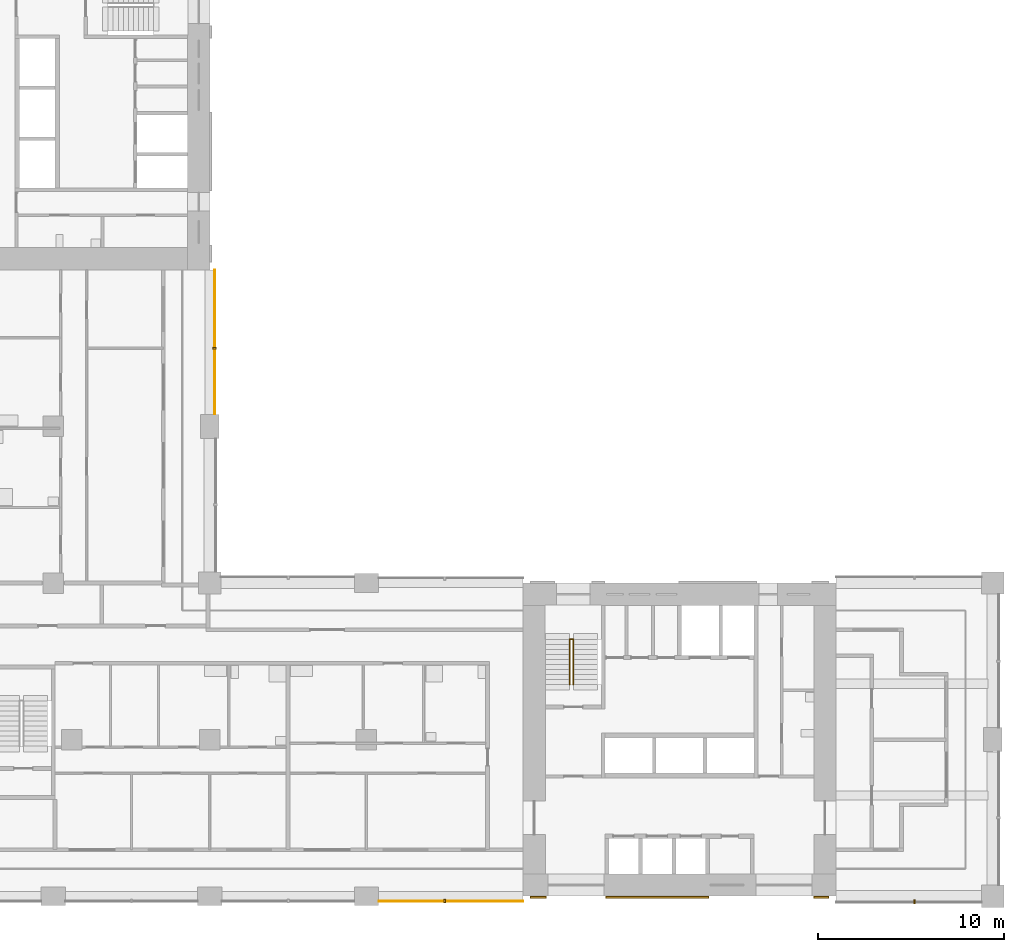
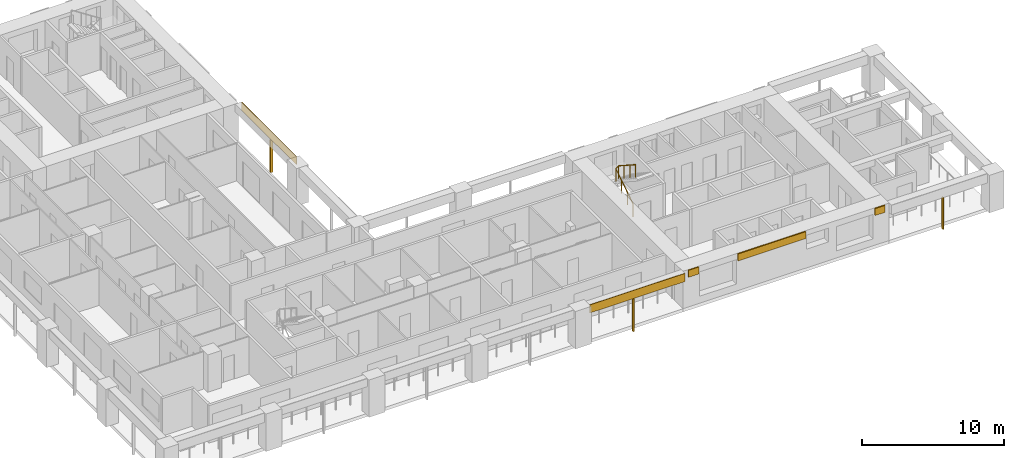
# One storey, part 11 of 17: 8 shading devices, 1 railing.
"""IFC4 building model written with IfcOpenShell, lengths in metres."""

from ifc_helpers import new_model, si_unit, direction, frame, origin, origin_2d, place, context, subcontext, project, spatial, rectangle, circle, extrude, material, layer, layer_set, material_profile, profile_set, type_object, element, save


model = new_model("IFC4")

# Units and contexts
model_context = context("Model", 3, precision=1e-05, world=origin(), true_north=direction((0.0, 1.0)))
body_context = subcontext(model_context, "Body", "Model", "MODEL_VIEW")
ifc_project = project(units=[si_unit("LENGTHUNIT", "METRE"), si_unit("AREAUNIT", "SQUARE_METRE"), si_unit("VOLUMEUNIT", "CUBIC_METRE"), si_unit("PLANEANGLEUNIT", "RADIAN"), si_unit("MASSUNIT", "GRAM", prefix="KILO")], contexts=[model_context])

# Site, building, storey
site_placement = place(None, origin())
site = spatial("IfcSite", under=ifc_project, at=site_placement, CompositionType="ELEMENT")
building_placement = place(site_placement, origin())
building = spatial("IfcBuilding", under=site, at=building_placement, Name="Vermilion Gate Residences", CompositionType="ELEMENT")
storey_placement = place(building_placement, frame((0.0, 0.0, 116.199951171875)))
storey = spatial("IfcBuildingStorey", under=building, at=storey_placement, Name="L29", CompositionType="ELEMENT", Elevation=116.199951171875)

# Shading devices
ifc_material_1 = material(Name="Perforated terracotta", Category="masonry")
ifc_layer_1 = layer(ifc_material_1, 0.0400390625)
ifc_layer_set_1 = layer_set([ifc_layer_1], Name="PERFORATED TERRACOTTA SCREEN 40")
shading_device_type_1 = type_object("IfcShadingDeviceType", Name="PERFORATED TERRACOTTA SCREEN 40", PredefinedType="SHUTTER", material=ifc_layer_set_1)
for number, where, z_axis, x_axis, name in (
    (1, (38.125, 8.1298828125, 2.52001953125), (0.0, 0.0, 1.0), (1.0, 0.0, 0.0), "SCREEN"),
    (2, (25.469970703125, 38.125, 2.52001953125), (0.0, 0.0, 1.0), (0.0, 1.0, 0.0), "SCREEN"),
):
    element("IfcShadingDevice", number, at=place(storey_placement, frame(where, z_axis=z_axis, x_axis=x_axis)), inside=storey, type_object=shading_device_type_1, Name=name, PredefinedType="SHUTTER", context=body_context, shape_type="SweptSolid", body=[
        extrude(rectangle(XDim=7.75, YDim=0.0400390625, at=origin_2d()), origin(), (0.0, 0.0, 1.0), 0.699951171875),
    ])

# Railing
ifc_material_2 = material(Name="Steel S355", Category="steel")
railing_type = type_object("IfcRailingType", Name="STAIR GUARD 1100 STEEL", PredefinedType="GUARDRAIL", material=ifc_material_2)
railing_placement = place(storey_placement, frame((44.5, 19.75, 0.175048828125)))
element("IfcRailing", 3, at=railing_placement, inside=storey, type_object=railing_type, Name="Stair well guard STA1-29", PredefinedType="GUARDRAIL", context=body_context, shape_type="SweptSolid", body=[
    extrude(circle(Radius=0.02392578125, at=origin_2d()), frame((0.0, 0.0, 1.076171875), z_axis=(0.0, 0.839153699163, 0.543894354798), x_axis=(-1.0, 0.0, 0.0)), (0.0, 0.0, 1.0), 2.895751953125),
    extrude(circle(Radius=0.02392578125, at=origin_2d()), frame((0.0, 2.429931640625, 2.65087890625), z_axis=(0.752405939678, 0.0, 0.658699705433), x_axis=(0.0, 1.0, 0.0)), (0.0, 0.0, 1.0), 0.265869140625),
    extrude(circle(Radius=0.02392578125, at=origin_2d()), frame((0.199951171875, 2.429931640625, 2.826171875), z_axis=(0.0, -0.839153699163, 0.543894354798), x_axis=(1.0, 0.0, 0.0)), (0.0, 0.0, 1.0), 2.895751953125),
    extrude(circle(Radius=0.02099609375, at=origin_2d()), origin(), (0.0, 0.0, 1.0), 1.052001953125),
    extrude(circle(Radius=0.02099609375, at=origin_2d()), frame((0.0, 0.81005859375, 0.52490234375)), (0.0, 0.0, 1.0), 1.052001953125),
    extrude(circle(Radius=0.02099609375, at=origin_2d()), frame((0.0, 1.619873046875, 1.050048828125)), (0.0, 0.0, 1.0), 1.052001953125),
    extrude(circle(Radius=0.02099609375, at=origin_2d()), frame((0.0, 2.429931640625, 1.574951171875)), (0.0, 0.0, 1.0), 1.052001953125),
    extrude(circle(Radius=0.02099609375, at=origin_2d()), frame((0.199951171875, 2.429931640625, 1.75)), (0.0, 0.0, 1.0), 1.052001953125),
    extrude(circle(Radius=0.02099609375, at=origin_2d()), frame((0.199951171875, 1.619873046875, 2.27490234375)), (0.0, 0.0, 1.0), 1.052001953125),
    extrude(circle(Radius=0.02099609375, at=origin_2d()), frame((0.199951171875, 0.81005859375, 2.800048828125)), (0.0, 0.0, 1.0), 1.052001953125),
    extrude(circle(Radius=0.02099609375, at=origin_2d()), frame((0.199951171875, 0.0, 3.324951171875)), (0.0, 0.0, 1.0), 1.052001953125),
])

# Shading devices
ifc_material_3 = material(Name="Extruded terracotta", Category="masonry")
ifc_material_profile = material_profile(ifc_material_3, rectangle(XDim=0.199951171875, YDim=0.10009765625, at=origin_2d()), Name="BAGUETTE 100 X 200")
ifc_profile_set = profile_set([ifc_material_profile], Name="Extruded terracotta")
shading_device_type_2 = type_object("IfcShadingDeviceType", Name="TERRACOTTA BAGUETTE 100 X 200", PredefinedType="JALOUSIE", material=ifc_profile_set)
shading_device_1_placement = place(storey_placement, frame((37.800048828125, 8.14990234375, -0.280029296875), z_axis=(0.0, 0.0, 1.0), x_axis=(0.0, 1.0, 0.0)))
element("IfcShadingDevice", 4, at=shading_device_1_placement, inside=storey, type_object=shading_device_type_2, Name="BAGUETTE", PredefinedType="JALOUSIE", context=body_context, shape_type="SweptSolid", body=[
    extrude(rectangle(XDim=0.199951171875, YDim=0.10009765625, at=origin_2d()), origin(), (0.0, 0.0, 1.0), 2.800048828125),
])
shading_device_2_placement = place(storey_placement, frame((63.0, 8.10009765625, -0.280029296875), z_axis=(0.0, 0.0, 1.0), x_axis=(0.0, 1.0, 0.0)))
element("IfcShadingDevice", 5, at=shading_device_2_placement, inside=storey, type_object=shading_device_type_2, Name="BAGUETTE", PredefinedType="JALOUSIE", context=body_context, shape_type="SweptSolid", body=[
    extrude(rectangle(XDim=0.199951171875, YDim=0.10009765625, at=origin_2d()), origin(), (0.0, 0.0, 1.0), 2.7001953125),
])
shading_device_3_placement = place(storey_placement, frame((25.449951171875, 37.800048828125, -0.280029296875), z_axis=(0.0, 0.0, 1.0), x_axis=(-1.0, 0.0, 0.0)))
element("IfcShadingDevice", 6, at=shading_device_3_placement, inside=storey, type_object=shading_device_type_2, Name="BAGUETTE", PredefinedType="JALOUSIE", context=body_context, shape_type="SweptSolid", body=[
    extrude(rectangle(XDim=0.199951171875, YDim=0.10009765625, at=origin_2d()), origin(), (0.0, 0.0, 1.0), 2.800048828125),
])
ifc_material_4 = material(Name="Extruded terracotta", Category="masonry")
ifc_layer_2 = layer(ifc_material_4, 0.10009765625)
ifc_layer_set_2 = layer_set([ifc_layer_2], Name="TERRACOTTA SPANDREL BAND 600 X 100")
shading_device_type_3 = type_object("IfcShadingDeviceType", Name="TERRACOTTA SPANDREL BAND 600 X 100", PredefinedType="USERDEFINED", material=ifc_layer_set_2)
shading_device_4_placement = place(storey_placement, frame((42.824951171875, 8.35009765625, 2.6201171875), z_axis=(0.0, 0.0, 1.0), x_axis=(1.0, 0.0, 0.0)))
element("IfcShadingDevice", 7, at=shading_device_4_placement, inside=storey, type_object=shading_device_type_3, Name="SPANDREL BAND", ObjectType="BAND", PredefinedType="USERDEFINED", context=body_context, shape_type="SweptSolid", body=[
    extrude(rectangle(XDim=0.85009765625, YDim=0.10009765625, at=origin_2d()), origin(), (0.0, 0.0, 1.0), 0.60009765625),
])
shading_device_5_placement = place(storey_placement, frame((49.199951171875, 8.35009765625, 2.6201171875), z_axis=(0.0, 0.0, 1.0), x_axis=(1.0, 0.0, 0.0)))
element("IfcShadingDevice", 8, at=shading_device_5_placement, inside=storey, type_object=shading_device_type_3, Name="SPANDREL BAND", ObjectType="BAND", PredefinedType="USERDEFINED", context=body_context, shape_type="SweptSolid", body=[
    extrude(rectangle(XDim=5.5, YDim=0.10009765625, at=origin_2d()), origin(), (0.0, 0.0, 1.0), 0.60009765625),
])
shading_device_6_placement = place(storey_placement, frame((58.0, 8.35009765625, 2.6201171875), z_axis=(0.0, 0.0, 1.0), x_axis=(1.0, 0.0, 0.0)))
element("IfcShadingDevice", 9, at=shading_device_6_placement, inside=storey, type_object=shading_device_type_3, Name="SPANDREL BAND", ObjectType="BAND", PredefinedType="USERDEFINED", context=body_context, shape_type="SweptSolid", body=[
    extrude(rectangle(XDim=0.800048828125, YDim=0.10009765625, at=origin_2d()), origin(), (0.0, 0.0, 1.0), 0.60009765625),
])

save(model, "model.ifc")
